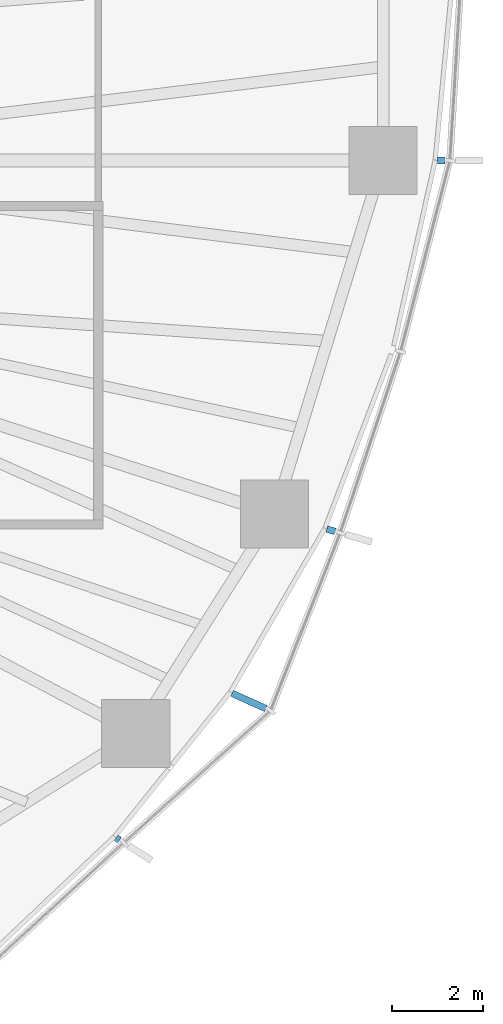
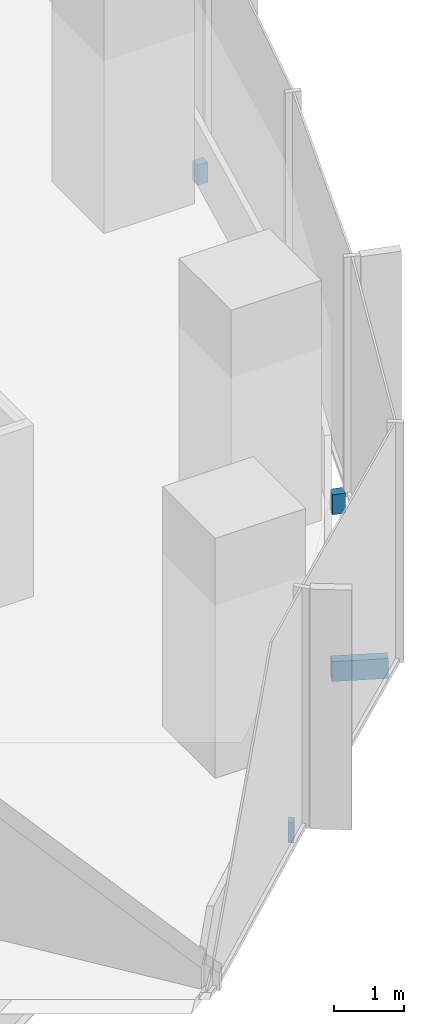
# One storey, part 14 of 18: 4 discrete accessories.
"""IFC4 building model written with IfcOpenShell, lengths in metres."""

from ifc_helpers import new_model, si_unit, direction, frame, origin, origin_2d, place, context, subcontext, project, spatial, rectangle, extrude, material, type_object, element, save


model = new_model("IFC4")

# Units and contexts
model_context = context("Model", 3, precision=1e-05, world=origin(), true_north=direction((0.0, 1.0)))
body_context = subcontext(model_context, "Body", "Model", "MODEL_VIEW")
ifc_project = project(units=[si_unit("LENGTHUNIT", "METRE"), si_unit("AREAUNIT", "SQUARE_METRE"), si_unit("VOLUMEUNIT", "CUBIC_METRE"), si_unit("PLANEANGLEUNIT", "RADIAN"), si_unit("MASSUNIT", "GRAM", prefix="KILO")], contexts=[model_context])

# Site, building, storey
site_placement = place(None, origin())
site = spatial("IfcSite", under=ifc_project, at=site_placement, CompositionType="ELEMENT")
building_placement = place(site_placement, origin())
building = spatial("IfcBuilding", under=site, at=building_placement, Name="Ghaith Harvest Tower", CompositionType="ELEMENT")
storey_placement = place(building_placement, frame((0.0, 0.0, 121.800048828125)))
storey = spatial("IfcBuildingStorey", under=building, at=storey_placement, Name="L25", CompositionType="ELEMENT", Elevation=121.800048828125)

# Discrete accessories
ifc_material_1 = material(Name="Stainless steel grade 1.4401", Category="steel")
discrete_accessory_type_1 = type_object("IfcDiscreteAccessoryType", Name="CURTAIN WALL BRACKET 165", PredefinedType="BRACKET", material=ifc_material_1)
discrete_accessory_1_placement = place(storey_placement, frame((30.5361328125, 0.0, -0.25), z_axis=(0.0, 0.0, 1.0), x_axis=(1.0, 0.0, 0.0)))
element("IfcDiscreteAccessory", 1, at=discrete_accessory_1_placement, inside=storey, type_object=discrete_accessory_type_1, Name="CW-L bracket 1 bay 01 L25", PredefinedType="BRACKET", context=body_context, shape_type="SweptSolid", body=[
    extrude(rectangle(XDim=0.1650390625, YDim=0.14990234375, at=origin_2d()), origin(), (0.0, 0.0, 1.0), 0.35009765625),
])
ifc_material_2 = material(Name="Stainless steel grade 1.4401", Category="steel")
discrete_accessory_type_2 = type_object("IfcDiscreteAccessoryType", Name="CURTAIN WALL BRACKET 195", PredefinedType="BRACKET", material=ifc_material_2)
discrete_accessory_2_placement = place(storey_placement, frame((28.1201171875, -8.127197265625, -0.25), z_axis=(0.0, 0.0, 1.0), x_axis=(0.960680349932, -0.277656739976, 0.0)))
element("IfcDiscreteAccessory", 2, at=discrete_accessory_2_placement, inside=storey, type_object=discrete_accessory_type_2, Name="CW-L bracket 1 bay 20 L25", PredefinedType="BRACKET", context=body_context, shape_type="SweptSolid", body=[
    extrude(rectangle(XDim=0.195068359375, YDim=0.14990234375, at=origin_2d()), origin(), (0.0, 0.0, 1.0), 0.35009765625),
])
ifc_material_3 = material(Name="Stainless steel grade 1.4401", Category="steel")
discrete_accessory_type_3 = type_object("IfcDiscreteAccessoryType", Name="CURTAIN WALL BRACKET 815", PredefinedType="BRACKET", material=ifc_material_3)
discrete_accessory_3_placement = place(storey_placement, frame((26.314697265625, -11.879638671875, -0.25), z_axis=(0.0, 0.0, 1.0), x_axis=(0.911426750831, -0.41146236507, 0.0)))
element("IfcDiscreteAccessory", 3, at=discrete_accessory_3_placement, inside=storey, type_object=discrete_accessory_type_3, Name="CW-L bracket 2 bay 19 L25", PredefinedType="BRACKET", context=body_context, shape_type="SweptSolid", body=[
    extrude(rectangle(XDim=0.81494140625, YDim=0.14990234375, at=origin_2d()), origin(), (0.0, 0.0, 1.0), 0.35009765625),
])
ifc_material_4 = material(Name="Stainless steel grade 1.4401", Category="steel")
discrete_accessory_type_4 = type_object("IfcDiscreteAccessoryType", Name="CURTAIN WALL BRACKET 85", PredefinedType="BRACKET", material=ifc_material_4)
discrete_accessory_4_placement = place(storey_placement, frame((23.431884765625, -14.912353515625, -0.25), z_axis=(0.0, 0.0, 1.0), x_axis=(0.84364397137, -0.536903016913, 0.0)))
element("IfcDiscreteAccessory", 4, at=discrete_accessory_4_placement, inside=storey, type_object=discrete_accessory_type_4, Name="CW-L bracket 1 bay 19 L25", PredefinedType="BRACKET", context=body_context, shape_type="SweptSolid", body=[
    extrude(rectangle(XDim=0.0849609375, YDim=0.14990234375, at=origin_2d()), origin(), (0.0, 0.0, 1.0), 0.35009765625),
])

save(model, "model.ifc")
